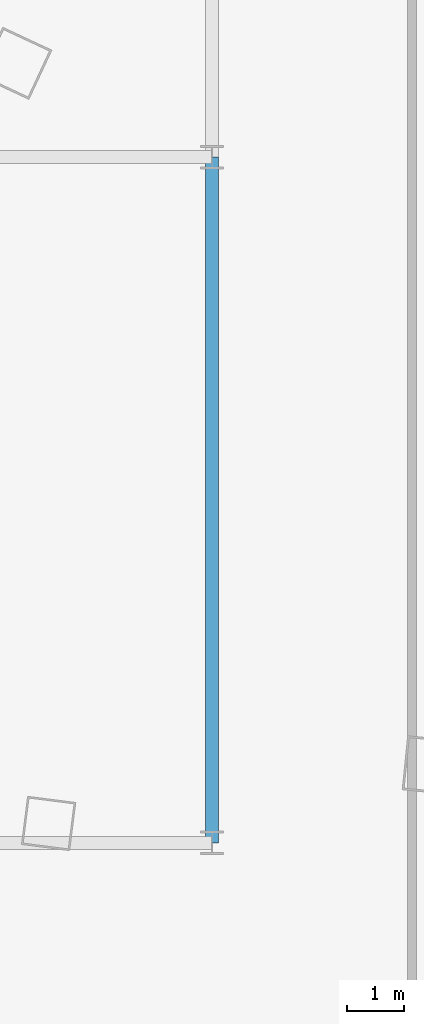
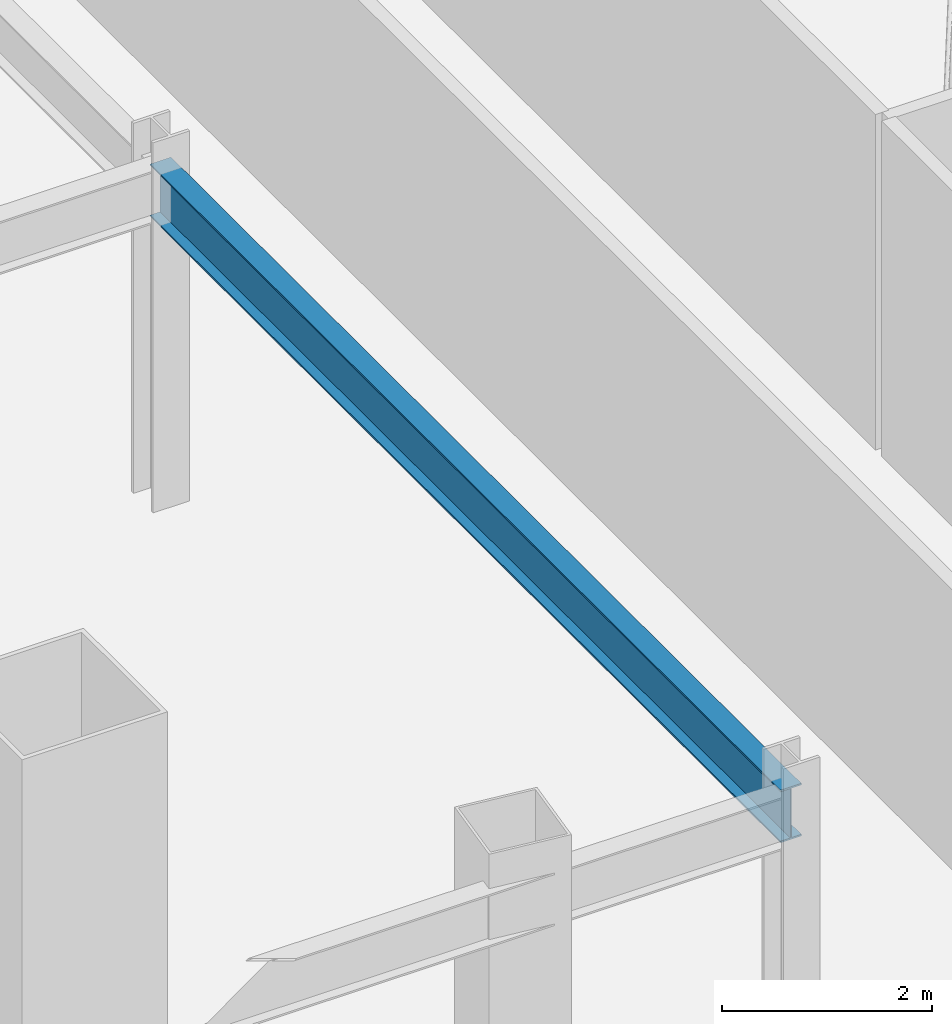
# One storey, part 8 of 46: 1 beam.
"""IFC4 building model written with IfcOpenShell, lengths in metres."""

from ifc_helpers import new_model, si_unit, direction, frame, origin, origin_2d, place, context, subcontext, project, spatial, i_section, extrude, material, material_profile, profile_set, type_object, element, save


model = new_model("IFC4")

# Units and contexts
model_context = context("Model", 3, precision=1e-05, world=origin(), true_north=direction((0.0, 1.0)))
body_context = subcontext(model_context, "Body", "Model", "MODEL_VIEW")
ifc_project = project(units=[si_unit("LENGTHUNIT", "METRE"), si_unit("AREAUNIT", "SQUARE_METRE"), si_unit("VOLUMEUNIT", "CUBIC_METRE"), si_unit("PLANEANGLEUNIT", "RADIAN"), si_unit("MASSUNIT", "GRAM", prefix="KILO")], contexts=[model_context])

# Site, building, storey
site_placement = place(None, origin())
site = spatial("IfcSite", under=ifc_project, at=site_placement, CompositionType="ELEMENT")
building_placement = place(site_placement, origin())
building = spatial("IfcBuilding", under=site, at=building_placement, Name="Orvanel Arch Residences", CompositionType="ELEMENT")
storey_placement = place(building_placement, frame((0.0, 0.0, 14.10009765625)))
storey = spatial("IfcBuildingStorey", under=building, at=storey_placement, Name="L03", CompositionType="ELEMENT", Elevation=14.10009765625)

# Beam
ifc_material = material(Name="Structural steel AS/NZS 3679.1 Grade 300 (300 MPa)", Category="steel")
ifc_material_profile = material_profile(ifc_material, i_section(OverallWidth=0.22900390625, OverallDepth=0.612060546875, WebThickness=0.011962890625, FlangeThickness=0.01953125, at=origin_2d()), Name="610UB125")
ifc_profile_set = profile_set([ifc_material_profile], Name="Structural steel AS/NZS 3679.1 Grade 300 (300 MPa)")
beam_type = type_object("IfcBeamType", Name="BG-610UB", PredefinedType="BEAM", material=ifc_profile_set)
beam_placement = place(storey_placement, frame((19.800048828125, 6.0, 3.593994140625), z_axis=(0.0, 1.0, 0.0), x_axis=(-1.0, 0.0, 0.0)))
element("IfcBeam", 1, at=beam_placement, inside=storey, type_object=beam_type, Name="L03 North-South Podium Girder XW20-S", PredefinedType="BEAM", context=body_context, shape_type="SweptSolid", body=[
    extrude(i_section(OverallWidth=0.22900390625, OverallDepth=0.612060546875, WebThickness=0.011962890625, FlangeThickness=0.01953125, at=origin_2d()), origin(), (0.0, 0.0, 1.0), 12.0),
])

save(model, "model.ifc")
